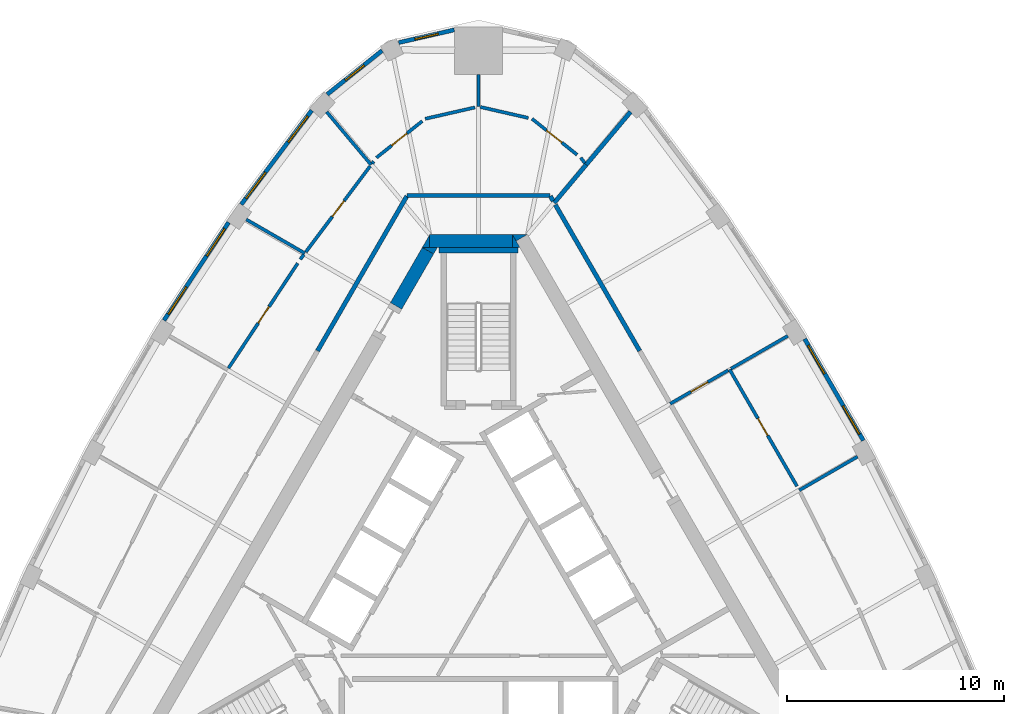
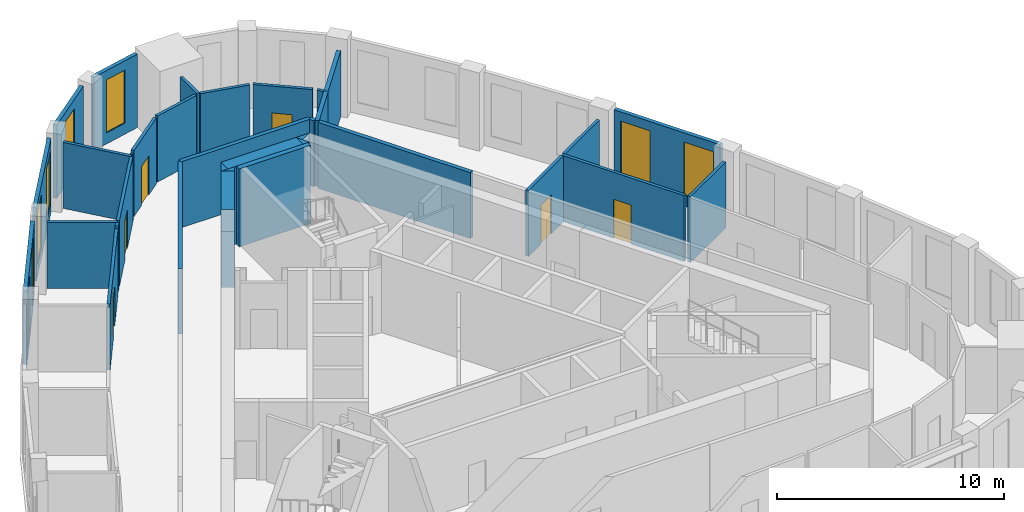
# One storey, part 8 of 10: 34 walls, 8 windows, 6 doors, 14 openings.
"""IFC4 building model written with IfcOpenShell, lengths in metres."""

import ifcopenshell
import ifcopenshell.guid

model = None  # the IFC model being written
_history = None  # IfcOwnerHistory: only IFC2X3 demands one
_inside = {}  # id of a spatial element -> (the spatial element, [elements in it])
_under = {}  # id of a project, library or spatial element -> (it, [spatial elements below it])
_declared = {}  # id of a project -> (the project, [libraries it declares])
_typed = {}  # id of a type object -> (the type object, [elements of that type])
_made_of = {}  # id of a material, layer set ... -> (it, [elements and type objects made of it])


def new_model(schema):
    """Start an empty IFC model of exactly this schema.

    Asked for "IFC4X3", IfcOpenShell would pick the latest addendum, in which some entities
    have other attributes; the version numbers below select the first issue.
    IFC2X3 requires an IfcOwnerHistory on every rooted entity: one is made here for all.
    """
    global model, _history
    if schema == "IFC4X3":
        model = ifcopenshell.file(schema_version=(4, 3, 0, 0))
    else:
        model = ifcopenshell.file(schema=schema)
    _inside.clear()
    _under.clear()
    _declared.clear()
    _typed.clear()
    _made_of.clear()
    _history = None
    if model.schema == "IFC2X3":
        org = make("IfcOrganization", Name="unknown")
        user = make(
            "IfcPersonAndOrganization",
            ThePerson=make("IfcPerson", FamilyName="unknown"),
            TheOrganization=org,
        )
        app = make(
            "IfcApplication",
            ApplicationDeveloper=org,
            Version="unknown",
            ApplicationFullName="unknown",
            ApplicationIdentifier="unknown",
        )
        _history = make(
            "IfcOwnerHistory",
            OwningUser=user,
            OwningApplication=app,
            ChangeAction="ADDED",
            CreationDate=0,
        )
    return model


def make(cls, **values):
    """One entity of the class cls with the attributes given. An attribute that is None is left unset."""
    return model.create_entity(
        cls, **{name: value for name, value in values.items() if value is not None}
    )


def rooted(cls, **values):
    """An entity with a GlobalId (a new one), such as an element, a storey or a relation."""
    return make(cls, GlobalId=ifcopenshell.guid.new(), OwnerHistory=_history, **values)


def si_unit(unit_type, name, prefix=None):
    """IfcSIUnit, for example si_unit("LENGTHUNIT", "METRE", prefix="MILLI")."""
    return make("IfcSIUnit", UnitType=unit_type, Prefix=prefix, Name=name)


def assignment(units):
    """IfcUnitAssignment: the units of a project."""
    return None if units is None else make("IfcUnitAssignment", Units=units)


def point(xyz):
    """IfcCartesianPoint."""
    return None if xyz is None else make("IfcCartesianPoint", Coordinates=xyz)


def direction(xyz):
    """IfcDirection."""
    return None if xyz is None else make("IfcDirection", DirectionRatios=xyz)


def frame(location, z_axis=None, x_axis=None):
    """IfcAxis2Placement3D, a coordinate frame: its origin and axes. An axis left out is left unset."""
    return make(
        "IfcAxis2Placement3D",
        Location=point(location),
        Axis=direction(z_axis),
        RefDirection=direction(x_axis),
    )


def frame_2d(location, x_axis=None):
    """IfcAxis2Placement2D, a coordinate frame in the plane: its origin and x axis."""
    return make(
        "IfcAxis2Placement2D", Location=point(location), RefDirection=direction(x_axis)
    )


def origin():
    """The frame at (0, 0, 0) with its axes left unset."""
    return frame((0.0, 0.0, 0.0))


def place(relative_to, where):
    """IfcLocalPlacement: puts the frame where relative to a parent placement (None: the world)."""
    return make(
        "IfcLocalPlacement", PlacementRelTo=relative_to, RelativePlacement=where
    )


def context(
    kind, dimensions, precision=None, world=None, true_north=None, identifier=None
):
    """IfcGeometricRepresentationContext, for example the 3D "Model" context."""
    return make(
        "IfcGeometricRepresentationContext",
        ContextIdentifier=identifier,
        ContextType=kind,
        CoordinateSpaceDimension=dimensions,
        Precision=precision,
        WorldCoordinateSystem=world,
        TrueNorth=true_north,
    )


def subcontext(parent, identifier, kind, view, scale=None):
    """IfcGeometricRepresentationSubContext, for example "Body" below "Model"."""
    return make(
        "IfcGeometricRepresentationSubContext",
        ContextIdentifier=identifier,
        ContextType=kind,
        ParentContext=parent,
        TargetScale=scale,
        TargetView=view,
    )


def project(units=None, contexts=None):
    """IfcProject with its units and contexts."""
    return rooted(
        "IfcProject",
        Name="project",
        RepresentationContexts=contexts,
        UnitsInContext=assignment(units),
    )


def spatial(cls, under=None, at=None, **own):
    """A site, building, storey or space (cls), placed at a placement, below another one or the project."""
    s = rooted(cls, ObjectPlacement=at, **own)
    if under is not None:
        _under.setdefault(under.id(), (under, []))[1].append(s)
    return s


def polyline(points):
    """IfcPolyline through the points."""
    return make("IfcPolyline", Points=[point(p) for p in points])


def profile(cls, at=None, kind="AREA", **sizes):
    """A parametric profile (cls). Its sizes go by their IFC names, for example OverallWidth=200.0."""
    return make(cls, ProfileType=kind, Position=at, **sizes)


def rectangle(**sizes):
    """IfcRectangleProfileDef."""
    return profile("IfcRectangleProfileDef", **sizes)


def outline(outer, holes=None, kind="AREA"):
    """IfcArbitraryClosedProfileDef: a profile drawn as a closed curve; with holes, ...WithVoids."""
    if holes is None:
        return make("IfcArbitraryClosedProfileDef", ProfileType=kind, OuterCurve=outer)
    return make(
        "IfcArbitraryProfileDefWithVoids",
        ProfileType=kind,
        OuterCurve=outer,
        InnerCurves=holes,
    )


def extrude(swept, where, along, depth):
    """IfcExtrudedAreaSolid: the profile swept, set in the frame where, extruded along a direction by depth."""
    return make(
        "IfcExtrudedAreaSolid",
        SweptArea=swept,
        Position=where,
        ExtrudedDirection=direction(along),
        Depth=depth,
    )


def shape(context_of_items, identifier, shape_type, items):
    """IfcShapeRepresentation: the items that make up one representation, for example the "Body"."""
    return make(
        "IfcShapeRepresentation",
        ContextOfItems=context_of_items,
        RepresentationIdentifier=identifier,
        RepresentationType=shape_type,
        Items=items,
    )


def material(Name=None, Category=None):
    """IfcMaterial."""
    return make("IfcMaterial", Name=Name, Category=Category)


def layer(
    of_material, thickness, ventilated=None, Name=None, Category=None, Priority=None
):
    """IfcMaterialLayer: one layer of a wall or slab, of a material (None: an air gap)."""
    return make(
        "IfcMaterialLayer",
        Material=of_material,
        LayerThickness=thickness,
        IsVentilated=ventilated,
        Name=Name,
        Category=Category,
        Priority=Priority,
    )


def layer_set(layers, Name=None):
    """IfcMaterialLayerSet."""
    return make("IfcMaterialLayerSet", MaterialLayers=layers, LayerSetName=Name)


def made_of(thing, what):
    """Note that an element or type object is made of a material, layer set ...; save() writes the relation."""
    if what is not None:
        _made_of.setdefault(what.id(), (what, []))[1].append(thing)
    return thing


def type_object(cls, material=None, **own):
    """A type object (cls), such as IfcWallType, which elements share."""
    return made_of(rooted(cls, **own), material)


def element(
    cls,
    number,
    at=None,
    inside=None,
    cuts=None,
    type_object=None,
    material=None,
    context=None,
    identifier="Body",
    shape_type=None,
    held_by="IfcProductDefinitionShape",
    body=None,
    shapes=None,
    **own,
):
    """One element of the class cls, such as IfcWall. Its Tag is "e" and its number.

    at: its placement. inside: the storey or other place that contains it. cuts: it is an
    opening in that element (IfcRelVoidsElement). A single representation is given by context,
    identifier, shape_type and body (its items); several are given by shapes. held_by: the class
    of the entity that holds the representations. save() writes the other relations.
    """
    e = rooted(cls, Tag="e%d" % number, ObjectPlacement=at, **own)
    if body is not None:
        shapes = [shape(context, identifier, shape_type, body)]
    if shapes is not None:
        e.Representation = make(held_by, Representations=shapes)
    if inside is not None:
        _inside.setdefault(inside.id(), (inside, []))[1].append(e)
    if cuts is not None:
        rooted(
            "IfcRelVoidsElement", RelatingBuildingElement=cuts, RelatedOpeningElement=e
        )
    if type_object is not None:
        _typed.setdefault(type_object.id(), (type_object, []))[1].append(e)
    return made_of(e, material)


def fill(opening, filler):
    """IfcRelFillsElement: the door or window that sits in an opening."""
    return rooted(
        "IfcRelFillsElement",
        RelatingOpeningElement=opening,
        RelatedBuildingElement=filler,
    )


def aggregate(whole, parts):
    """IfcRelAggregates: a whole, such as a stair, and the parts it consists of."""
    return rooted("IfcRelAggregates", RelatingObject=whole, RelatedObjects=parts)


def save(model, path):
    """Write the relations noted so far, then the file.

    IfcRelAggregates (storeys below a building ...), IfcRelContainedInSpatialStructure (elements
    in a storey), IfcRelDefinesByType, IfcRelAssociatesMaterial and IfcRelDeclares: one each for
    every whole, place, type object, material and project.
    """
    for whole, parts in _under.values():
        aggregate(whole, parts)
    for where, things in _inside.values():
        rooted(
            "IfcRelContainedInSpatialStructure",
            RelatedElements=things,
            RelatingStructure=where,
        )
    for kind, things in _typed.values():
        rooted("IfcRelDefinesByType", RelatedObjects=things, RelatingType=kind)
    for what, things in _made_of.values():
        rooted("IfcRelAssociatesMaterial", RelatedObjects=things, RelatingMaterial=what)
    for by, libraries in _declared.values():
        rooted("IfcRelDeclares", RelatingContext=by, RelatedDefinitions=libraries)
    model.write(path)


model = new_model("IFC4")

# Units and contexts
model_context = context("Model", 3, precision=1e-05, world=origin(), true_north=direction((0.0, 1.0)))
body_context = subcontext(model_context, "Body", "Model", "MODEL_VIEW")
ifc_project = project(units=[si_unit("LENGTHUNIT", "METRE"), si_unit("AREAUNIT", "SQUARE_METRE"), si_unit("VOLUMEUNIT", "CUBIC_METRE"), si_unit("PLANEANGLEUNIT", "RADIAN"), si_unit("MASSUNIT", "GRAM", prefix="KILO")], contexts=[model_context])

# Site, building, storey
site_placement = place(None, origin())
site = spatial("IfcSite", under=ifc_project, at=site_placement, CompositionType="ELEMENT")
building_placement = place(site_placement, origin())
building = spatial("IfcBuilding", under=site, at=building_placement, Name="Mestral Congress Tower", CompositionType="ELEMENT")
storey_placement = place(building_placement, frame((0.0, 0.0, 283.800048828125)))
storey = spatial("IfcBuildingStorey", under=building, at=storey_placement, Name="L66", CompositionType="ELEMENT", Elevation=283.800048828125)

# Walls
ifc_material_1 = material(Name="Concrete C60/75", Category="concrete")
ifc_layer_1 = layer(ifc_material_1, 0.60009765625)
ifc_layer_set_1 = layer_set([ifc_layer_1], Name="Concrete C60/75")
wall_type_1 = type_object("IfcWallType", Name="Core wall RC 600", PredefinedType="SOLIDWALL", material=ifc_layer_set_1)
placement = place(storey_placement, origin())
element("IfcWall", 1, at=placement, inside=storey, type_object=wall_type_1, Name="L66 core wall", PredefinedType="SOLIDWALL", context=body_context, shape_type="SweptSolid", body=[
    extrude(outline(polyline([(1.558837890625, 16.60009765625), (2.23486328125, 16.60009765625), (1.727783203125, 16.307373046875), (1.558837890625, 16.60009765625)])), origin(), (0.0, 0.0, 1.0), 4.199951171875),
])
wall_2_placement = place(storey_placement, frame((-2.258056640625, 16.300048828125, 0.0), z_axis=(0.0, 0.0, 1.0), x_axis=(1.0, 0.0, 0.0)))
element("IfcWall", 2, at=wall_2_placement, inside=storey, type_object=wall_type_1, Name="L66 core wall", PredefinedType="SOLIDWALL", context=body_context, shape_type="SweptSolid", body=[
    extrude(rectangle(XDim=3.8232421875, YDim=0.60009765625, at=frame_2d((1.91162109375, 0.0))), origin(), (0.0, 0.0, 1.0), 4.199951171875),
])
element("IfcWall", 3, at=placement, inside=storey, type_object=wall_type_1, Name="L66 core wall", PredefinedType="SOLIDWALL", context=body_context, shape_type="SweptSolid", body=[
    extrude(outline(polyline([(1.9052734375, 16.0), (1.5673828125, 16.0), (1.5673828125, 16.58544921875), (1.9052734375, 16.0)])), origin(), (0.0, 0.0, 1.0), 4.199951171875),
])
element("IfcWall", 4, at=placement, inside=storey, type_object=wall_type_1, Name="L66 core wall", PredefinedType="SOLIDWALL", context=body_context, shape_type="SweptSolid", body=[
    extrude(outline(polyline([(-2.59814453125, 16.0), (-2.260009765625, 16.58544921875), (-2.260009765625, 16.0), (-2.59814453125, 16.0)])), origin(), (0.0, 0.0, 1.0), 4.199951171875),
])
wall_5_placement = place(storey_placement, frame((-2.335205078125, 15.85546875, 0.0), z_axis=(0.0, 0.0, 1.0), x_axis=(-0.499960127962, -0.866048422692, 0.0)))
element("IfcWall", 5, at=wall_5_placement, inside=storey, type_object=wall_type_1, Name="L66 core wall", PredefinedType="SOLIDWALL", context=body_context, shape_type="SweptSolid", body=[
    extrude(rectangle(XDim=2.934326171875, YDim=0.60009765625, at=frame_2d((1.46728515625, 0.0))), origin(), (0.0, 0.0, 1.0), 4.199951171875),
])
element("IfcWall", 6, at=placement, inside=storey, type_object=wall_type_1, Name="L66 core wall", PredefinedType="SOLIDWALL", context=body_context, shape_type="SweptSolid", body=[
    extrude(outline(polyline([(-1.9052734375, 16.0), (-2.07421875, 15.707275390625), (-2.581298828125, 16.0), (-1.9052734375, 16.0)])), origin(), (0.0, 0.0, 1.0), 4.199951171875),
])

# Wall, openings, windows
ifc_material_2 = material(Name="Precast concrete C40/50 with limestone facing", Category="masonry")
ifc_layer_2 = layer(ifc_material_2, 0.18994140625)
ifc_layer_set_2 = layer_set([ifc_layer_2], Name="Precast concrete C40/50 with limestone facing")
wall_type_2 = type_object("IfcWallType", Name="Facade stone wall 190", PredefinedType="SOLIDWALL", material=ifc_layer_set_2)
wall_7_placement = place(storey_placement, frame((17.728271484375, 7.1142578125, 0.0), z_axis=(0.0, 0.0, 1.0), x_axis=(-0.500024767483, 0.866011103799, 0.0)))
wall_7 = element("IfcWall", 7, at=wall_7_placement, inside=storey, type_object=wall_type_2, Name="Facade wall F1-02", PredefinedType="SOLIDWALL", context=body_context, shape_type="SweptSolid", body=[
    extrude(rectangle(XDim=5.406005859375, YDim=0.18994140625, at=frame_2d((2.703125, 0.0))), origin(), (0.0, 0.0, 1.0), 3.949951171875),
])
opening_1_placement = place(wall_7_placement, frame((0.346435546875, 0.0, 0.60009765625)))
opening_1 = element("IfcOpeningElement", 8, at=opening_1_placement, cuts=wall_7, Name="Opening W6", PredefinedType="OPENING", context=body_context, shape_type="SweptSolid", body=[
    extrude(rectangle(XDim=1.5, YDim=2.85009765625, at=frame_2d((0.75, 1.425048828125))), frame((0.0, 0.10498046875, 0.0), z_axis=(0.0, -1.0, 0.0), x_axis=(1.0, 0.0, 0.0)), (0.0, 0.0, 1.0), 0.2099609375),
])
opening_2_placement = place(wall_7_placement, frame((3.5595703125, 0.0, 0.60009765625)))
opening_2 = element("IfcOpeningElement", 9, at=opening_2_placement, cuts=wall_7, Name="Opening W6", PredefinedType="OPENING", context=body_context, shape_type="SweptSolid", body=[
    extrude(rectangle(XDim=1.5, YDim=2.85009765625, at=frame_2d((0.75, 1.425048828125))), frame((0.0, 0.10498046875, 0.0), z_axis=(0.0, -1.0, 0.0), x_axis=(1.0, 0.0, 0.0)), (0.0, 0.0, 1.0), 0.2099609375),
])
ifc_material_3 = material(Name="Clear low-emissivity double glazing", Category="glass")
window_type_1 = type_object("IfcWindowType", Name="Facade punched window 1500 x 2850 sill 600", PartitioningType="SINGLE_PANEL", PredefinedType="WINDOW", material=ifc_material_3)
window_1_placement = place(opening_1_placement, origin())
window_1 = element("IfcWindow", 10, at=window_1_placement, inside=storey, type_object=window_type_1, Name="Window F1-02a", OverallHeight=2.85009765625, OverallWidth=1.5, PartitioningType="SINGLE_PANEL", PredefinedType="WINDOW", context=body_context, shape_type="SweptSolid", body=[
    extrude(rectangle(XDim=1.5, YDim=2.85009765625, at=frame_2d((0.75, 1.425048828125))), frame((0.0, 0.044921875, 0.0), z_axis=(0.0, -1.0, 0.0), x_axis=(1.0, 0.0, 0.0)), (0.0, 0.0, 1.0), 0.06005859375),
])
fill(opening_1, window_1)
window_2_placement = place(opening_2_placement, origin())
window_2 = element("IfcWindow", 11, at=window_2_placement, inside=storey, type_object=window_type_1, Name="Window F1-02b", OverallHeight=2.85009765625, OverallWidth=1.5, PartitioningType="SINGLE_PANEL", PredefinedType="WINDOW", context=body_context, shape_type="SweptSolid", body=[
    extrude(rectangle(XDim=1.5, YDim=2.85009765625, at=frame_2d((0.75, 1.425048828125))), frame((0.0, 0.044921875, 0.0), z_axis=(0.0, -1.0, 0.0), x_axis=(1.0, 0.0, 0.0)), (0.0, 0.0, 1.0), 0.06005859375),
])
fill(opening_2, window_2)

# Wall, opening, window
wall_8_placement = place(storey_placement, frame((-1.12158203125, 26.033447265625, 0.0), z_axis=(0.0, 0.0, 1.0), x_axis=(-0.974913273386, -0.222585060988, 0.0)))
wall_8 = element("IfcWall", 12, at=wall_8_placement, inside=storey, type_object=wall_type_2, Name="Facade wall K1-2", PredefinedType="SOLIDWALL", context=body_context, shape_type="SweptSolid", body=[
    extrude(rectangle(XDim=2.626953125, YDim=0.18994140625, at=frame_2d((1.3134765625, 0.0))), origin(), (0.0, 0.0, 1.0), 3.949951171875),
])
opening_3_placement = place(wall_8_placement, frame((0.763427734375, 0.0, 0.60009765625)))
opening_3 = element("IfcOpeningElement", 13, at=opening_3_placement, cuts=wall_8, Name="Opening W7", PredefinedType="OPENING", context=body_context, shape_type="SweptSolid", body=[
    extrude(rectangle(XDim=1.10009765625, YDim=2.85009765625, at=frame_2d((0.550048828125, 1.425048828125))), frame((0.0, 0.10498046875, 0.0), z_axis=(0.0, -1.0, 0.0), x_axis=(1.0, 0.0, 0.0)), (0.0, 0.0, 1.0), 0.2099609375),
])
window_type_2 = type_object("IfcWindowType", Name="Facade punched window 1100 x 2850 sill 600", PartitioningType="SINGLE_PANEL", PredefinedType="WINDOW", material=ifc_material_3)
window_3_placement = place(opening_3_placement, origin())
window_3 = element("IfcWindow", 14, at=window_3_placement, inside=storey, type_object=window_type_2, Name="Window K1-2", OverallHeight=2.85009765625, OverallWidth=1.10009765625, PartitioningType="SINGLE_PANEL", PredefinedType="WINDOW", context=body_context, shape_type="SweptSolid", body=[
    extrude(rectangle(XDim=1.10009765625, YDim=2.85009765625, at=frame_2d((0.550048828125, 1.425048828125))), frame((0.0, 0.044921875, 0.0), z_axis=(0.0, -1.0, 0.0), x_axis=(1.0, 0.0, 0.0)), (0.0, 0.0, 1.0), 0.06005859375),
])
fill(opening_3, window_3)

wall_9_placement = place(storey_placement, frame((-4.447509765625, 25.080078125, 0.0), z_axis=(0.0, 0.0, 1.0), x_axis=(-0.781626234064, -0.623747088349, 0.0)))
wall_9 = element("IfcWall", 15, at=wall_9_placement, inside=storey, type_object=wall_type_2, Name="Facade wall K1-3", PredefinedType="SOLIDWALL", context=body_context, shape_type="SweptSolid", body=[
    extrude(rectangle(XDim=3.236572265625, YDim=0.18994140625, at=frame_2d((1.6181640625, 0.0))), origin(), (0.0, 0.0, 1.0), 3.949951171875),
])
opening_4_placement = place(wall_9_placement, frame((1.068359375, 0.0, 0.60009765625)))
opening_4 = element("IfcOpeningElement", 16, at=opening_4_placement, cuts=wall_9, Name="Opening W7", PredefinedType="OPENING", context=body_context, shape_type="SweptSolid", body=[
    extrude(rectangle(XDim=1.10009765625, YDim=2.85009765625, at=frame_2d((0.550048828125, 1.425048828125))), frame((0.0, 0.10498046875, 0.0), z_axis=(0.0, -1.0, 0.0), x_axis=(1.0, 0.0, 0.0)), (0.0, 0.0, 1.0), 0.2099609375),
])
window_4_placement = place(opening_4_placement, origin())
window_4 = element("IfcWindow", 17, at=window_4_placement, inside=storey, type_object=window_type_2, Name="Window K1-3", OverallHeight=2.85009765625, OverallWidth=1.10009765625, PartitioningType="SINGLE_PANEL", PredefinedType="WINDOW", context=body_context, shape_type="SweptSolid", body=[
    extrude(rectangle(XDim=1.10009765625, YDim=2.85009765625, at=frame_2d((0.550048828125, 1.425048828125))), frame((0.0, 0.044921875, 0.0), z_axis=(0.0, -1.0, 0.0), x_axis=(1.0, 0.0, 0.0)), (0.0, 0.0, 1.0), 0.06005859375),
])
fill(opening_4, window_4)

# Wall, openings, windows
wall_10_placement = place(storey_placement, frame((-7.691650390625, 22.32373046875, 0.0), z_axis=(0.0, 0.0, 1.0), x_axis=(-0.599559865294, -0.800329911929, 0.0)))
wall_10 = element("IfcWall", 18, at=wall_10_placement, inside=storey, type_object=wall_type_2, Name="Facade wall F2-00", PredefinedType="SOLIDWALL", context=body_context, shape_type="SweptSolid", body=[
    extrude(rectangle(XDim=5.4150390625, YDim=0.18994140625, at=frame_2d((2.70751953125, 0.0))), origin(), (0.0, 0.0, 1.0), 3.949951171875),
])
opening_5_placement = place(wall_10_placement, frame((0.322509765625, 0.0, 0.60009765625)))
opening_5 = element("IfcOpeningElement", 19, at=opening_5_placement, cuts=wall_10, Name="Opening W6", PredefinedType="OPENING", context=body_context, shape_type="SweptSolid", body=[
    extrude(rectangle(XDim=1.5, YDim=2.85009765625, at=frame_2d((0.75, 1.425048828125))), frame((0.0, 0.10498046875, 0.0), z_axis=(0.0, -1.0, 0.0), x_axis=(1.0, 0.0, 0.0)), (0.0, 0.0, 1.0), 0.2099609375),
])
opening_6_placement = place(wall_10_placement, frame((3.5576171875, 0.0, 0.60009765625)))
opening_6 = element("IfcOpeningElement", 20, at=opening_6_placement, cuts=wall_10, Name="Opening W6", PredefinedType="OPENING", context=body_context, shape_type="SweptSolid", body=[
    extrude(rectangle(XDim=1.5, YDim=2.85009765625, at=frame_2d((0.75, 1.425048828125))), frame((0.0, 0.10498046875, 0.0), z_axis=(0.0, -1.0, 0.0), x_axis=(1.0, 0.0, 0.0)), (0.0, 0.0, 1.0), 0.2099609375),
])
window_5_placement = place(opening_5_placement, origin())
window_5 = element("IfcWindow", 21, at=window_5_placement, inside=storey, type_object=window_type_1, Name="Window F2-00a", OverallHeight=2.85009765625, OverallWidth=1.5, PartitioningType="SINGLE_PANEL", PredefinedType="WINDOW", context=body_context, shape_type="SweptSolid", body=[
    extrude(rectangle(XDim=1.5, YDim=2.85009765625, at=frame_2d((0.75, 1.425048828125))), frame((0.0, 0.044921875, 0.0), z_axis=(0.0, -1.0, 0.0), x_axis=(1.0, 0.0, 0.0)), (0.0, 0.0, 1.0), 0.06005859375),
])
fill(opening_5, window_5)
window_6_placement = place(opening_6_placement, origin())
window_6 = element("IfcWindow", 22, at=window_6_placement, inside=storey, type_object=window_type_1, Name="Window F2-00b", OverallHeight=2.85009765625, OverallWidth=1.5, PartitioningType="SINGLE_PANEL", PredefinedType="WINDOW", context=body_context, shape_type="SweptSolid", body=[
    extrude(rectangle(XDim=1.5, YDim=2.85009765625, at=frame_2d((0.75, 1.425048828125))), frame((0.0, 0.044921875, 0.0), z_axis=(0.0, -1.0, 0.0), x_axis=(1.0, 0.0, 0.0)), (0.0, 0.0, 1.0), 0.06005859375),
])
fill(opening_6, window_6)

wall_11_placement = place(storey_placement, frame((-11.518310546875, 17.16552734375, 0.0), z_axis=(0.0, 0.0, 1.0), x_axis=(-0.550744054781, -0.83467417962, 0.0)))
wall_11 = element("IfcWall", 23, at=wall_11_placement, inside=storey, type_object=wall_type_2, Name="Facade wall F2-01", PredefinedType="SOLIDWALL", context=body_context, shape_type="SweptSolid", body=[
    extrude(rectangle(XDim=5.406005859375, YDim=0.18994140625, at=frame_2d((2.703125, 0.0))), origin(), (0.0, 0.0, 1.0), 3.949951171875),
])
opening_7_placement = place(wall_11_placement, frame((0.346435546875, 0.0, 0.60009765625)))
opening_7 = element("IfcOpeningElement", 24, at=opening_7_placement, cuts=wall_11, Name="Opening W6", PredefinedType="OPENING", context=body_context, shape_type="SweptSolid", body=[
    extrude(rectangle(XDim=1.5, YDim=2.85009765625, at=frame_2d((0.75, 1.425048828125))), frame((0.0, 0.10498046875, 0.0), z_axis=(0.0, -1.0, 0.0), x_axis=(1.0, 0.0, 0.0)), (0.0, 0.0, 1.0), 0.2099609375),
])
opening_8_placement = place(wall_11_placement, frame((3.559326171875, 0.0, 0.60009765625)))
opening_8 = element("IfcOpeningElement", 25, at=opening_8_placement, cuts=wall_11, Name="Opening W6", PredefinedType="OPENING", context=body_context, shape_type="SweptSolid", body=[
    extrude(rectangle(XDim=1.5, YDim=2.85009765625, at=frame_2d((0.75, 1.425048828125))), frame((0.0, 0.10498046875, 0.0), z_axis=(0.0, -1.0, 0.0), x_axis=(1.0, 0.0, 0.0)), (0.0, 0.0, 1.0), 0.2099609375),
])
window_7_placement = place(opening_7_placement, origin())
window_7 = element("IfcWindow", 26, at=window_7_placement, inside=storey, type_object=window_type_1, Name="Window F2-01a", OverallHeight=2.85009765625, OverallWidth=1.5, PartitioningType="SINGLE_PANEL", PredefinedType="WINDOW", context=body_context, shape_type="SweptSolid", body=[
    extrude(rectangle(XDim=1.5, YDim=2.85009765625, at=frame_2d((0.75, 1.425048828125))), frame((0.0, 0.044921875, 0.0), z_axis=(0.0, -1.0, 0.0), x_axis=(1.0, 0.0, 0.0)), (0.0, 0.0, 1.0), 0.06005859375),
])
fill(opening_7, window_7)
window_8_placement = place(opening_8_placement, origin())
window_8 = element("IfcWindow", 27, at=window_8_placement, inside=storey, type_object=window_type_1, Name="Window F2-01b", OverallHeight=2.85009765625, OverallWidth=1.5, PartitioningType="SINGLE_PANEL", PredefinedType="WINDOW", context=body_context, shape_type="SweptSolid", body=[
    extrude(rectangle(XDim=1.5, YDim=2.85009765625, at=frame_2d((0.75, 1.425048828125))), frame((0.0, 0.044921875, 0.0), z_axis=(0.0, -1.0, 0.0), x_axis=(1.0, 0.0, 0.0)), (0.0, 0.0, 1.0), 0.06005859375),
])
fill(opening_8, window_8)

# Wall
ifc_material_4 = material(Name="Plasterboard partition on steel studs", Category="steel")
ifc_layer_3 = layer(ifc_material_4, 0.14990234375)
ifc_layer_set_3 = layer_set([ifc_layer_3], Name="Plasterboard partition on steel studs")
wall_type_3 = type_object("IfcWallType", Name="Office partition 150", PredefinedType="PARTITIONING", material=ifc_layer_set_3)
wall_12_placement = place(storey_placement, frame((14.77734375, 4.821533203125, 0.0), z_axis=(0.0, 0.0, 1.0), x_axis=(0.865992557167, 0.500056887695, 0.0)))
element("IfcWall", 28, at=wall_12_placement, inside=storey, type_object=wall_type_3, Name="Partition", PredefinedType="PARTITIONING", context=body_context, shape_type="SweptSolid", body=[
    extrude(rectangle(XDim=3.096435546875, YDim=0.14990234375, at=frame_2d((1.54833984375, 0.0))), origin(), (0.0, 0.0, 1.0), 3.550048828125),
])

# Wall, opening, door
wall_13_placement = place(storey_placement, frame((11.564208984375, 10.38671875, 0.0), z_axis=(0.0, 0.0, 1.0), x_axis=(0.500002559113, -0.866023926275, 0.0)))
wall_13 = element("IfcWall", 29, at=wall_13_placement, inside=storey, type_object=wall_type_3, Name="Partition", PredefinedType="PARTITIONING", context=body_context, shape_type="SweptSolid", body=[
    extrude(rectangle(XDim=6.2119140625, YDim=0.14990234375, at=frame_2d((3.10595703125, 0.0))), origin(), (0.0, 0.0, 1.0), 3.550048828125),
])
opening_9_placement = place(wall_13_placement, frame((2.611572265625, 0.0, 0.0)))
opening_9 = element("IfcOpeningElement", 30, at=opening_9_placement, cuts=wall_13, Name="Opening O12-007", PredefinedType="OPENING", context=body_context, shape_type="SweptSolid", body=[
    extrude(rectangle(XDim=0.89990234375, YDim=2.10009765625, at=frame_2d((0.449951171875, 1.050048828125))), frame((0.0, 0.0849609375, 0.0), z_axis=(0.0, -1.0, 0.0), x_axis=(1.0, 0.0, 0.0)), (0.0, 0.0, 1.0), 0.169921875),
])
ifc_material_5 = material(Name="Timber door set", Category="wood")
door_type = type_object("IfcDoorType", Name="Office door 900x2100", OperationType="SINGLE_SWING_LEFT", PredefinedType="DOOR", material=ifc_material_5)
door_1_placement = place(opening_9_placement, origin())
door_1 = element("IfcDoor", 31, at=door_1_placement, inside=storey, type_object=door_type, Name="Door O12-007", OperationType="SINGLE_SWING_LEFT", OverallHeight=2.10009765625, OverallWidth=0.89990234375, PredefinedType="DOOR", context=body_context, shape_type="SweptSolid", body=[
    extrude(rectangle(XDim=0.89990234375, YDim=2.10009765625, at=frame_2d((0.449951171875, 1.050048828125))), frame((0.0, 0.02490234375, 0.0), z_axis=(0.0, -1.0, 0.0), x_axis=(1.0, 0.0, 0.0)), (0.0, 0.0, 1.0), 0.050048828125),
])
fill(opening_9, door_1)

# Wall
wall_14_placement = place(storey_placement, frame((11.629150390625, 10.42431640625, 0.0), z_axis=(0.0, 0.0, 1.0), x_axis=(0.866061796884, 0.499936960004, 0.0)))
element("IfcWall", 32, at=wall_14_placement, inside=storey, type_object=wall_type_3, Name="Partition", PredefinedType="PARTITIONING", context=body_context, shape_type="SweptSolid", body=[
    extrude(rectangle(XDim=3.021484375, YDim=0.14990234375, at=frame_2d((1.5107421875, 0.0))), origin(), (0.0, 0.0, 1.0), 3.550048828125),
])

# Wall, opening, door
wall_15_placement = place(storey_placement, frame((8.8291015625, 8.8076171875, 0.0), z_axis=(0.0, 0.0, 1.0), x_axis=(0.866041857893, 0.499971499565, 0.0)))
wall_15 = element("IfcWall", 33, at=wall_15_placement, inside=storey, type_object=wall_type_3, Name="Partition", PredefinedType="PARTITIONING", context=body_context, shape_type="SweptSolid", body=[
    extrude(rectangle(XDim=3.083251953125, YDim=0.14990234375, at=frame_2d((1.54150390625, 0.0))), origin(), (0.0, 0.0, 1.0), 3.550048828125),
])
opening_10_placement = place(wall_15_placement, frame((1.10009765625, 0.0, 0.0)))
opening_10 = element("IfcOpeningElement", 34, at=opening_10_placement, cuts=wall_15, Name="Opening O12-009", PredefinedType="OPENING", context=body_context, shape_type="SweptSolid", body=[
    extrude(rectangle(XDim=0.89990234375, YDim=2.10009765625, at=frame_2d((0.449951171875, 1.050048828125))), frame((0.0, 0.0849609375, 0.0), z_axis=(0.0, -1.0, 0.0), x_axis=(1.0, 0.0, 0.0)), (0.0, 0.0, 1.0), 0.169921875),
])
door_2_placement = place(opening_10_placement, origin())
door_2 = element("IfcDoor", 35, at=door_2_placement, inside=storey, type_object=door_type, Name="Door O12-009", OperationType="SINGLE_SWING_RIGHT", OverallHeight=2.10009765625, OverallWidth=0.89990234375, PredefinedType="DOOR", context=body_context, shape_type="SweptSolid", body=[
    extrude(rectangle(XDim=0.89990234375, YDim=2.10009765625, at=frame_2d((0.449951171875, 1.050048828125))), frame((0.0, 0.02490234375, 0.0), z_axis=(0.0, -1.0, 0.0), x_axis=(1.0, 0.0, 0.0)), (0.0, 0.0, 1.0), 0.050048828125),
])
fill(opening_10, door_2)

# Walls
wall_16_placement = place(storey_placement, frame((0.0, 22.49951171875, 0.0), z_axis=(0.0, 0.0, 1.0), x_axis=(0.0, 1.0, 0.0)))
element("IfcWall", 36, at=wall_16_placement, inside=storey, type_object=wall_type_3, Name="Partition", PredefinedType="PARTITIONING", context=body_context, shape_type="SweptSolid", body=[
    extrude(rectangle(XDim=1.478515625, YDim=0.14990234375, at=frame_2d((0.7392578125, 0.0))), origin(), (0.0, 0.0, 1.0), 3.550048828125),
])
wall_17_placement = place(storey_placement, frame((4.89111328125, 19.8994140625, 0.0), z_axis=(0.0, 0.0, 1.0), x_axis=(-0.6, 0.8, 0.0)))
element("IfcWall", 37, at=wall_17_placement, inside=storey, type_object=wall_type_3, Name="Partition", PredefinedType="PARTITIONING", context=body_context, shape_type="SweptSolid", body=[
    extrude(rectangle(XDim=0.308837890625, YDim=0.14990234375, at=frame_2d((0.154296875, 0.0))), origin(), (0.0, 0.0, 1.0), 3.550048828125),
])

# Wall, opening, door
wall_18_placement = place(storey_placement, frame((2.4619140625, 21.937255859375, 0.0), z_axis=(0.0, 0.0, 1.0), x_axis=(0.781630346222, -0.62374193531, 0.0)))
wall_18 = element("IfcWall", 38, at=wall_18_placement, inside=storey, type_object=wall_type_3, Name="Partition", PredefinedType="PARTITIONING", context=body_context, shape_type="SweptSolid", body=[
    extrude(rectangle(XDim=2.656494140625, YDim=0.14990234375, at=frame_2d((1.328125, 0.0))), origin(), (0.0, 0.0, 1.0), 3.550048828125),
])
opening_11_placement = place(wall_18_placement, frame((0.856689453125, 0.0, 0.0)))
opening_11 = element("IfcOpeningElement", 39, at=opening_11_placement, cuts=wall_18, Name="Opening O12-010", PredefinedType="OPENING", context=body_context, shape_type="SweptSolid", body=[
    extrude(rectangle(XDim=0.89990234375, YDim=2.10009765625, at=frame_2d((0.449951171875, 1.050048828125))), frame((0.0, 0.0849609375, 0.0), z_axis=(0.0, -1.0, 0.0), x_axis=(1.0, 0.0, 0.0)), (0.0, 0.0, 1.0), 0.169921875),
])
door_3_placement = place(opening_11_placement, origin())
door_3 = element("IfcDoor", 40, at=door_3_placement, inside=storey, type_object=door_type, Name="Door O12-010", OperationType="SINGLE_SWING_LEFT", OverallHeight=2.10009765625, OverallWidth=0.89990234375, PredefinedType="DOOR", context=body_context, shape_type="SweptSolid", body=[
    extrude(rectangle(XDim=0.89990234375, YDim=2.10009765625, at=frame_2d((0.449951171875, 1.050048828125))), frame((0.0, 0.02490234375, 0.0), z_axis=(0.0, -1.0, 0.0), x_axis=(1.0, 0.0, 0.0)), (0.0, 0.0, 1.0), 0.050048828125),
])
fill(opening_11, door_3)

# Walls
wall_19_placement = place(storey_placement, frame((2.29345703125, 21.975830078125, 0.0), z_axis=(0.0, 0.0, 1.0), x_axis=(-0.974905760283, 0.22261796551, 0.0)))
element("IfcWall", 41, at=wall_19_placement, inside=storey, type_object=wall_type_3, Name="Partition", PredefinedType="PARTITIONING", context=body_context, shape_type="SweptSolid", body=[
    extrude(rectangle(XDim=2.275634765625, YDim=0.14990234375, at=frame_2d((1.1376953125, 0.0))), origin(), (0.0, 0.0, 1.0), 3.550048828125),
])
wall_20_placement = place(storey_placement, frame((-4.952392578125, 19.8173828125, 0.0), z_axis=(0.0, 0.0, 1.0), x_axis=(-0.643023053688, 0.765846820471, 0.0)))
element("IfcWall", 42, at=wall_20_placement, inside=storey, type_object=wall_type_3, Name="Partition", PredefinedType="PARTITIONING", context=body_context, shape_type="SweptSolid", body=[
    extrude(rectangle(XDim=3.184326171875, YDim=0.14990234375, at=frame_2d((1.59228515625, 0.0))), origin(), (0.0, 0.0, 1.0), 3.550048828125),
])
wall_21_placement = place(storey_placement, frame((-0.16845703125, 22.461181640625, 0.0), z_axis=(0.0, 0.0, 1.0), x_axis=(-0.974885550769, -0.222706450069, 0.0)))
element("IfcWall", 43, at=wall_21_placement, inside=storey, type_object=wall_type_3, Name="Partition", PredefinedType="PARTITIONING", context=body_context, shape_type="SweptSolid", body=[
    extrude(rectangle(XDim=2.3525390625, YDim=0.14990234375, at=frame_2d((1.17626953125, 0.0))), origin(), (0.0, 0.0, 1.0), 3.550048828125),
])

# Wall, opening, door
wall_22_placement = place(storey_placement, frame((-4.705810546875, 20.146484375, 0.0), z_axis=(0.0, 0.0, 1.0), x_axis=(0.781592149204, 0.623789798172, 0.0)))
wall_22 = element("IfcWall", 44, at=wall_22_placement, inside=storey, type_object=wall_type_3, Name="Partition", PredefinedType="PARTITIONING", context=body_context, shape_type="SweptSolid", body=[
    extrude(rectangle(XDim=2.6982421875, YDim=0.14990234375, at=frame_2d((1.34912109375, 0.0))), origin(), (0.0, 0.0, 1.0), 3.550048828125),
])
opening_12_placement = place(wall_22_placement, frame((0.898193359375, 0.0, 0.0)))
opening_12 = element("IfcOpeningElement", 45, at=opening_12_placement, cuts=wall_22, Name="Opening O12-011", PredefinedType="OPENING", context=body_context, shape_type="SweptSolid", body=[
    extrude(rectangle(XDim=0.89990234375, YDim=2.10009765625, at=frame_2d((0.449951171875, 1.050048828125))), frame((0.0, 0.0849609375, 0.0), z_axis=(0.0, -1.0, 0.0), x_axis=(1.0, 0.0, 0.0)), (0.0, 0.0, 1.0), 0.169921875),
])
door_4_placement = place(opening_12_placement, origin())
door_4 = element("IfcDoor", 46, at=door_4_placement, inside=storey, type_object=door_type, Name="Door O12-011", OperationType="SINGLE_SWING_LEFT", OverallHeight=2.10009765625, OverallWidth=0.89990234375, PredefinedType="DOOR", context=body_context, shape_type="SweptSolid", body=[
    extrude(rectangle(XDim=0.89990234375, YDim=2.10009765625, at=frame_2d((0.449951171875, 1.050048828125))), frame((0.0, 0.02490234375, 0.0), z_axis=(0.0, -1.0, 0.0), x_axis=(1.0, 0.0, 0.0)), (0.0, 0.0, 1.0), 0.050048828125),
])
fill(opening_12, door_4)

# Walls
wall_23_placement = place(storey_placement, frame((-4.83447265625, 19.97509765625, 0.0), z_axis=(0.0, 0.0, 1.0), x_axis=(-0.599349659863, -0.800487342325, 0.0)))
element("IfcWall", 47, at=wall_23_placement, inside=storey, type_object=wall_type_3, Name="Partition", PredefinedType="PARTITIONING", context=body_context, shape_type="SweptSolid", body=[
    extrude(rectangle(XDim=0.1201171875, YDim=0.14990234375, at=frame_2d((0.06005859375, 0.0))), origin(), (0.0, 0.0, 1.0), 3.550048828125),
])
wall_24_placement = place(storey_placement, frame((-8.007080078125, 15.73974609375, 0.0), z_axis=(0.0, 0.0, 1.0), x_axis=(-0.866044607523, 0.499966736674, 0.0)))
element("IfcWall", 48, at=wall_24_placement, inside=storey, type_object=wall_type_3, Name="Partition", PredefinedType="PARTITIONING", context=body_context, shape_type="SweptSolid", body=[
    extrude(rectangle(XDim=3.114501953125, YDim=0.14990234375, at=frame_2d((1.55712890625, 0.0))), origin(), (0.0, 0.0, 1.0), 3.550048828125),
])

# Wall, opening, door
wall_25_placement = place(storey_placement, frame((-7.9619140625, 15.800048828125, 0.0), z_axis=(0.0, 0.0, 1.0), x_axis=(0.599541489613, 0.800343677574, 0.0)))
wall_25 = element("IfcWall", 49, at=wall_25_placement, inside=storey, type_object=wall_type_3, Name="Partition", PredefinedType="PARTITIONING", context=body_context, shape_type="SweptSolid", body=[
    extrude(rectangle(XDim=4.9423828125, YDim=0.14990234375, at=frame_2d((2.47119140625, 0.0))), origin(), (0.0, 0.0, 1.0), 3.550048828125),
])
opening_13_placement = place(wall_25_placement, frame((2.042236328125, 0.0, 0.0)))
opening_13 = element("IfcOpeningElement", 50, at=opening_13_placement, cuts=wall_25, Name="Opening O12-012", PredefinedType="OPENING", context=body_context, shape_type="SweptSolid", body=[
    extrude(rectangle(XDim=0.89990234375, YDim=2.10009765625, at=frame_2d((0.449951171875, 1.050048828125))), frame((0.0, 0.0849609375, 0.0), z_axis=(0.0, -1.0, 0.0), x_axis=(1.0, 0.0, 0.0)), (0.0, 0.0, 1.0), 0.169921875),
])
door_5_placement = place(opening_13_placement, origin())
door_5 = element("IfcDoor", 51, at=door_5_placement, inside=storey, type_object=door_type, Name="Door O12-012", OperationType="SINGLE_SWING_RIGHT", OverallHeight=2.10009765625, OverallWidth=0.89990234375, PredefinedType="DOOR", context=body_context, shape_type="SweptSolid", body=[
    extrude(rectangle(XDim=0.89990234375, YDim=2.10009765625, at=frame_2d((0.449951171875, 1.050048828125))), frame((0.0, 0.02490234375, 0.0), z_axis=(0.0, -1.0, 0.0), x_axis=(1.0, 0.0, 0.0)), (0.0, 0.0, 1.0), 0.050048828125),
])
fill(opening_13, door_5)

# Wall
wall_26_placement = place(storey_placement, frame((-8.052490234375, 15.67919921875, 0.0), z_axis=(0.0, 0.0, 1.0), x_axis=(-0.599004157744, -0.800745914136, 0.0)))
element("IfcWall", 52, at=wall_26_placement, inside=storey, type_object=wall_type_3, Name="Partition", PredefinedType="PARTITIONING", context=body_context, shape_type="SweptSolid", body=[
    extrude(rectangle(XDim=0.274658203125, YDim=0.14990234375, at=frame_2d((0.13720703125, 0.0))), origin(), (0.0, 0.0, 1.0), 3.550048828125),
])

# Wall, opening, door
wall_27_placement = place(storey_placement, frame((-11.52294921875, 10.449462890625, 0.0), z_axis=(0.0, 0.0, 1.0), x_axis=(0.550751709023, 0.834669129061, 0.0)))
wall_27 = element("IfcWall", 53, at=wall_27_placement, inside=storey, type_object=wall_type_3, Name="Partition", PredefinedType="PARTITIONING", context=body_context, shape_type="SweptSolid", body=[
    extrude(rectangle(XDim=5.7880859375, YDim=0.14990234375, at=frame_2d((2.89404296875, 0.0))), origin(), (0.0, 0.0, 1.0), 3.550048828125),
])
opening_14_placement = place(wall_27_placement, frame((2.488037109375, 0.0, 0.0)))
opening_14 = element("IfcOpeningElement", 54, at=opening_14_placement, cuts=wall_27, Name="Opening O12-013", PredefinedType="OPENING", context=body_context, shape_type="SweptSolid", body=[
    extrude(rectangle(XDim=0.89990234375, YDim=2.10009765625, at=frame_2d((0.449951171875, 1.050048828125))), frame((0.0, 0.0849609375, 0.0), z_axis=(0.0, -1.0, 0.0), x_axis=(1.0, 0.0, 0.0)), (0.0, 0.0, 1.0), 0.169921875),
])
door_6_placement = place(opening_14_placement, origin())
door_6 = element("IfcDoor", 55, at=door_6_placement, inside=storey, type_object=door_type, Name="Door O12-013", OperationType="SINGLE_SWING_RIGHT", OverallHeight=2.10009765625, OverallWidth=0.89990234375, PredefinedType="DOOR", context=body_context, shape_type="SweptSolid", body=[
    extrude(rectangle(XDim=0.89990234375, YDim=2.10009765625, at=frame_2d((0.449951171875, 1.050048828125))), frame((0.0, 0.02490234375, 0.0), z_axis=(0.0, -1.0, 0.0), x_axis=(1.0, 0.0, 0.0)), (0.0, 0.0, 1.0), 0.050048828125),
])
fill(opening_14, door_6)

# Walls
ifc_material_6 = material(Name="Dense masonry wall, plastered", Category="masonry")
ifc_layer_4 = layer(ifc_material_6, 0.199951171875)
ifc_layer_set_4 = layer_set([ifc_layer_4], Name="Dense masonry wall, plastered")
wall_type_4 = type_object("IfcWallType", Name="Office tenancy wall 200", PredefinedType="PARTITIONING", material=ifc_layer_set_4)
wall_28_placement = place(storey_placement, frame((4.949951171875, 19.814208984375, 0.0), z_axis=(0.0, 0.0, 1.0), x_axis=(0.642981953866, 0.765881326971, 0.0)))
element("IfcWall", 56, at=wall_28_placement, inside=storey, type_object=wall_type_4, Name="Tenancy wall", PredefinedType="PARTITIONING", context=body_context, shape_type="SweptSolid", body=[
    extrude(rectangle(XDim=3.188232421875, YDim=0.199951171875, at=frame_2d((1.59423828125, 0.0))), origin(), (0.0, 0.0, 1.0), 3.550048828125),
])
wall_29_placement = place(storey_placement, frame((3.483154296875, 18.06689453125, 0.0), z_axis=(0.0, 0.0, 1.0), x_axis=(0.642896944312, 0.765952687177, 0.0)))
element("IfcWall", 57, at=wall_29_placement, inside=storey, type_object=wall_type_4, Name="Tenancy wall", PredefinedType="PARTITIONING", context=body_context, shape_type="SweptSolid", body=[
    extrude(rectangle(XDim=2.28955078125, YDim=0.199951171875, at=frame_2d((1.144775390625, 0.0))), origin(), (0.0, 0.0, 1.0), 3.550048828125),
])
wall_30_placement = place(storey_placement, frame((7.420654296875, 11.2470703125, 0.0), z_axis=(0.0, 0.0, 1.0), x_axis=(-0.499999024953, 0.866025966727, 0.0)))
element("IfcWall", 58, at=wall_30_placement, inside=storey, type_object=wall_type_4, Name="Tenancy wall", PredefinedType="PARTITIONING", context=body_context, shape_type="SweptSolid", body=[
    extrude(rectangle(XDim=7.7685546875, YDim=0.199951171875, at=frame_2d((3.88427734375, 0.0))), origin(), (0.0, 0.0, 1.0), 3.550048828125),
])
wall_31_placement = place(storey_placement, frame((3.291015625, 18.39990234375, 0.0), z_axis=(0.0, 0.0, 1.0), x_axis=(-1.0, 0.0, 0.0)))
element("IfcWall", 59, at=wall_31_placement, inside=storey, type_object=wall_type_4, Name="Tenancy wall", PredefinedType="PARTITIONING", context=body_context, shape_type="SweptSolid", body=[
    extrude(rectangle(XDim=6.58203125, YDim=0.199951171875, at=frame_2d((3.291015625, 0.0))), origin(), (0.0, 0.0, 1.0), 3.550048828125),
])
wall_32_placement = place(storey_placement, frame((-3.305908203125, 18.3740234375, 0.0), z_axis=(0.0, 0.0, 1.0), x_axis=(-0.499999798456, -0.866025520146, 0.0)))
element("IfcWall", 60, at=wall_32_placement, inside=storey, type_object=wall_type_4, Name="Tenancy wall", PredefinedType="PARTITIONING", context=body_context, shape_type="SweptSolid", body=[
    extrude(rectangle(XDim=8.2294921875, YDim=0.199951171875, at=frame_2d((4.11474609375, 0.0))), origin(), (0.0, 0.0, 1.0), 3.550048828125),
])
wall_33_placement = place(storey_placement, frame((3.429931640625, 18.1591796875, 0.0), z_axis=(0.0, 0.0, 1.0), x_axis=(-0.499949632511, 0.866054481515, 0.0)))
element("IfcWall", 61, at=wall_33_placement, inside=storey, type_object=wall_type_4, Name="Tenancy wall", PredefinedType="PARTITIONING", context=body_context, shape_type="SweptSolid", body=[
    extrude(rectangle(XDim=0.248046875, YDim=0.199951171875, at=frame_2d((0.1240234375, 0.0))), origin(), (0.0, 0.0, 1.0), 3.550048828125),
])
ifc_layer_5 = layer(ifc_material_1, 0.25)
ifc_layer_set_5 = layer_set([ifc_layer_5], Name="Concrete C60/75")
wall_type_5 = type_object("IfcWallType", Name="Stair wall RC 250", PredefinedType="SOLIDWALL", material=ifc_layer_set_5)
wall_34_placement = place(storey_placement, frame((-1.81689453125, 15.875, 0.0), z_axis=(0.0, 0.0, 1.0), x_axis=(1.0, 0.0, 0.0)))
element("IfcWall", 62, at=wall_34_placement, inside=storey, type_object=wall_type_5, Name="L66 core wall", PredefinedType="SOLIDWALL", context=body_context, shape_type="SweptSolid", body=[
    extrude(rectangle(XDim=3.6337890625, YDim=0.25, at=frame_2d((1.81689453125, 0.0))), origin(), (0.0, 0.0, 1.0), 4.199951171875),
])

save(model, "model.ifc")
